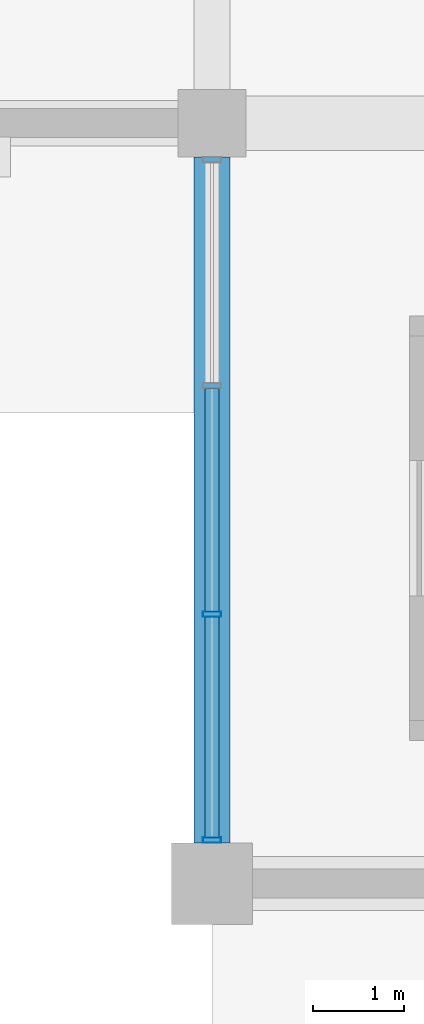
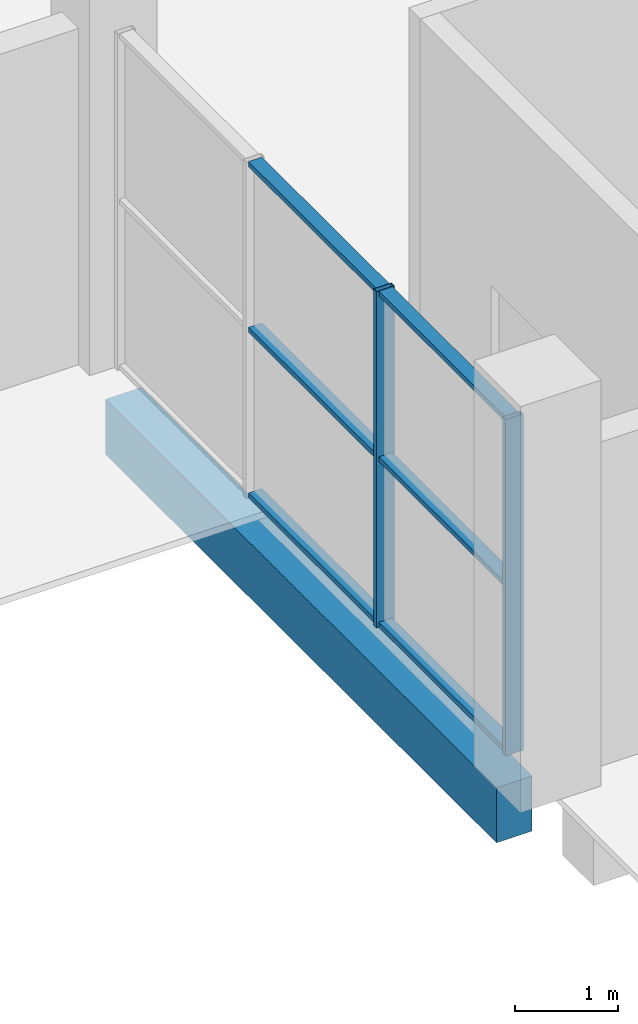
# One storey, part 12 of 130: 8 members, 1 beam, 1 element without a shape of its own.
"""IFC4 building model written with IfcOpenShell, lengths in metres."""

from ifc_helpers import new_model, si_unit, direction, frame, origin, origin_2d, place, context, subcontext, project, spatial, rectangle, hollow_rectangle, extrude, material, material_profile, profile_set, type_object, element, aggregate, save


model = new_model("IFC4")

# Units and contexts
model_context = context("Model", 3, precision=1e-05, world=origin(), true_north=direction((0.0, 1.0)))
body_context = subcontext(model_context, "Body", "Model", "MODEL_VIEW")
ifc_project = project(units=[si_unit("LENGTHUNIT", "METRE"), si_unit("AREAUNIT", "SQUARE_METRE"), si_unit("VOLUMEUNIT", "CUBIC_METRE"), si_unit("PLANEANGLEUNIT", "RADIAN"), si_unit("MASSUNIT", "GRAM", prefix="KILO"), si_unit("THERMODYNAMICTEMPERATUREUNIT", "KELVIN")], contexts=[model_context])

# Site, building, storey
site_placement = place(None, origin())
site = spatial("IfcSite", under=ifc_project, at=site_placement, CompositionType="ELEMENT")
building_placement = place(site_placement, origin())
building = spatial("IfcBuilding", under=site, at=building_placement, Name="Nduvali Passage Aquatics Centre", CompositionType="ELEMENT")
storey_placement = place(building_placement, origin())
storey = spatial("IfcBuildingStorey", under=building, at=storey_placement, Name="L00", CompositionType="ELEMENT", Elevation=0.0)

# Curtain wall, members
ifc_material_1 = material(Name="Aluminium EN AW-6063 T6", Category="aluminium")
curtain_wall_type = type_object("IfcCurtainWallType", Name="ENV-CW-HALL", PredefinedType="NOTDEFINED", material=ifc_material_1)
curtain_wall_placement = place(storey_placement, origin())
curtain_wall = element("IfcCurtainWall", 1, at=curtain_wall_placement, inside=storey, type_object=curtain_wall_type, Name="L00 West Pool Hall Lower Glazing 001", PredefinedType="NOTDEFINED")
ifc_material_profile_1 = material_profile(ifc_material_1, hollow_rectangle(XDim=0.06005859375, YDim=0.199951171875, WallThickness=0.00390625, at=origin_2d()), Name="ALU MULLION 60x200x4")
ifc_profile_set_1 = profile_set([ifc_material_profile_1], Name="Aluminium EN AW-6063 T6")
member_type_1 = type_object("IfcMemberType", Name="ENV-MEM-MUL80", PredefinedType="MULLION", material=ifc_profile_set_1)
member_1_placement = place(storey_placement, frame((25.199951171875, 25.679931640625, 0.0), z_axis=(0.0, 0.0, 1.0), x_axis=(0.0, 1.0, 0.0)))
member_1 = element("IfcMember", 2, at=member_1_placement, type_object=member_type_1, Name="West Pool Hall Lower Glazing Mullion 1", PredefinedType="MULLION", context=body_context, shape_type="SweptSolid", body=[
    extrude(hollow_rectangle(XDim=0.06005859375, YDim=0.199951171875, WallThickness=0.00390625, at=origin_2d()), origin(), (0.0, 0.0, 1.0), 3.976318359375),
])
member_2_placement = place(storey_placement, frame((25.199951171875, 28.175048828125, 0.0), z_axis=(0.0, 0.0, 1.0), x_axis=(0.0, 1.0, 0.0)))
member_2 = element("IfcMember", 3, at=member_2_placement, type_object=member_type_1, Name="West Pool Hall Lower Glazing Mullion 2", PredefinedType="MULLION", context=body_context, shape_type="SweptSolid", body=[
    extrude(hollow_rectangle(XDim=0.06005859375, YDim=0.199951171875, WallThickness=0.00390625, at=origin_2d()), origin(), (0.0, 0.0, 1.0), 3.976318359375),
])
ifc_material_profile_2 = material_profile(ifc_material_1, hollow_rectangle(XDim=0.14990234375, YDim=0.06005859375, WallThickness=0.00390625, at=origin_2d()), Name="ALU TRANSOM 150x60x4")
ifc_profile_set_2 = profile_set([ifc_material_profile_2], Name="Aluminium EN AW-6063 T6")
member_type_2 = type_object("IfcMemberType", Name="ENV-MEM-TRN80", PredefinedType="USERDEFINED", material=ifc_profile_set_2)
member_3_placement = place(storey_placement, frame((25.199951171875, 25.7099609375, 0.030029296875), z_axis=(0.0, 1.0, 0.0), x_axis=(-1.0, 0.0, 0.0)))
member_3 = element("IfcMember", 4, at=member_3_placement, type_object=member_type_2, Name="West Pool Hall Lower Glazing Transom B1-R0", ObjectType="TRANSOM", PredefinedType="USERDEFINED", context=body_context, shape_type="SweptSolid", body=[
    extrude(hollow_rectangle(XDim=0.14990234375, YDim=0.06005859375, WallThickness=0.00390625, at=origin_2d()), origin(), (0.0, 0.0, 1.0), 2.43505859375),
])
member_4_placement = place(storey_placement, frame((25.199951171875, 25.7099609375, 1.98828125), z_axis=(0.0, 1.0, 0.0), x_axis=(-1.0, 0.0, 0.0)))
member_4 = element("IfcMember", 5, at=member_4_placement, type_object=member_type_2, Name="West Pool Hall Lower Glazing Transom B1-R1", ObjectType="TRANSOM", PredefinedType="USERDEFINED", context=body_context, shape_type="SweptSolid", body=[
    extrude(hollow_rectangle(XDim=0.14990234375, YDim=0.06005859375, WallThickness=0.00390625, at=origin_2d()), origin(), (0.0, 0.0, 1.0), 2.43505859375),
])
member_5_placement = place(storey_placement, frame((25.199951171875, 25.7099609375, 3.9462890625), z_axis=(0.0, 1.0, 0.0), x_axis=(-1.0, 0.0, 0.0)))
member_5 = element("IfcMember", 6, at=member_5_placement, type_object=member_type_2, Name="West Pool Hall Lower Glazing Transom B1-R2", ObjectType="TRANSOM", PredefinedType="USERDEFINED", context=body_context, shape_type="SweptSolid", body=[
    extrude(hollow_rectangle(XDim=0.14990234375, YDim=0.06005859375, WallThickness=0.00390625, at=origin_2d()), origin(), (0.0, 0.0, 1.0), 2.43505859375),
])
member_6_placement = place(storey_placement, frame((25.199951171875, 28.205078125, 0.030029296875), z_axis=(0.0, 1.0, 0.0), x_axis=(-1.0, 0.0, 0.0)))
member_6 = element("IfcMember", 7, at=member_6_placement, type_object=member_type_2, Name="West Pool Hall Lower Glazing Transom B2-R0", ObjectType="TRANSOM", PredefinedType="USERDEFINED", context=body_context, shape_type="SweptSolid", body=[
    extrude(hollow_rectangle(XDim=0.14990234375, YDim=0.06005859375, WallThickness=0.00390625, at=origin_2d()), origin(), (0.0, 0.0, 1.0), 2.46484375),
])
member_7_placement = place(storey_placement, frame((25.199951171875, 28.205078125, 1.98828125), z_axis=(0.0, 1.0, 0.0), x_axis=(-1.0, 0.0, 0.0)))
member_7 = element("IfcMember", 8, at=member_7_placement, type_object=member_type_2, Name="West Pool Hall Lower Glazing Transom B2-R1", ObjectType="TRANSOM", PredefinedType="USERDEFINED", context=body_context, shape_type="SweptSolid", body=[
    extrude(hollow_rectangle(XDim=0.14990234375, YDim=0.06005859375, WallThickness=0.00390625, at=origin_2d()), origin(), (0.0, 0.0, 1.0), 2.46484375),
])
member_8_placement = place(storey_placement, frame((25.199951171875, 28.205078125, 3.9462890625), z_axis=(0.0, 1.0, 0.0), x_axis=(-1.0, 0.0, 0.0)))
member_8 = element("IfcMember", 9, at=member_8_placement, type_object=member_type_2, Name="West Pool Hall Lower Glazing Transom B2-R2", ObjectType="TRANSOM", PredefinedType="USERDEFINED", context=body_context, shape_type="SweptSolid", body=[
    extrude(hollow_rectangle(XDim=0.14990234375, YDim=0.06005859375, WallThickness=0.00390625, at=origin_2d()), origin(), (0.0, 0.0, 1.0), 2.46484375),
])
aggregate(curtain_wall, [member_1, member_2, member_3, member_4, member_5, member_6, member_7, member_8])

# Beam
ifc_material_2 = material(Name="Concrete C40/50", Category="concrete")
ifc_material_profile_3 = material_profile(ifc_material_2, rectangle(XDim=0.39990234375, YDim=0.64990234375, at=origin_2d()), Name="RC 400x650")
ifc_profile_set_3 = profile_set([ifc_material_profile_3], Name="Concrete C40/50")
beam_type = type_object("IfcBeamType", Name="STR-SPN-RC4065-EXT", PredefinedType="SPANDREL", material=ifc_profile_set_3)
beam_placement = place(storey_placement, frame((25.199951171875, 25.64990234375, -0.6650390625), z_axis=(0.0, 1.0, 0.0), x_axis=(-1.0, 0.0, 0.0)))
element("IfcBeam", 10, at=beam_placement, inside=storey, type_object=beam_type, Name="L00 Primary Y-Girder SP1E-0123", PredefinedType="SPANDREL", context=body_context, shape_type="SweptSolid", body=[
    extrude(rectangle(XDim=0.39990234375, YDim=0.64990234375, at=origin_2d()), origin(), (0.0, 0.0, 1.0), 7.5751953125),
])

save(model, "model.ifc")
